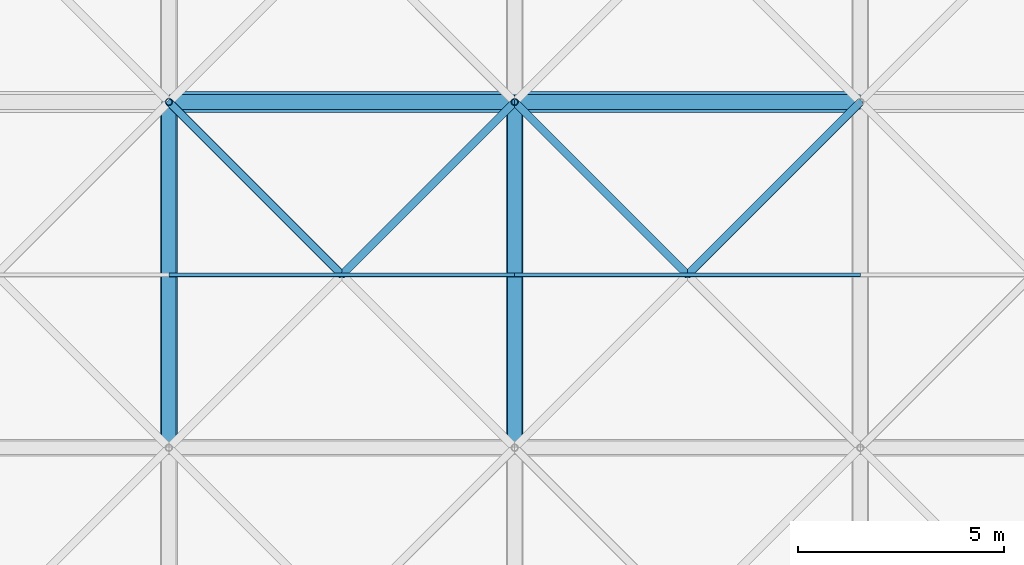
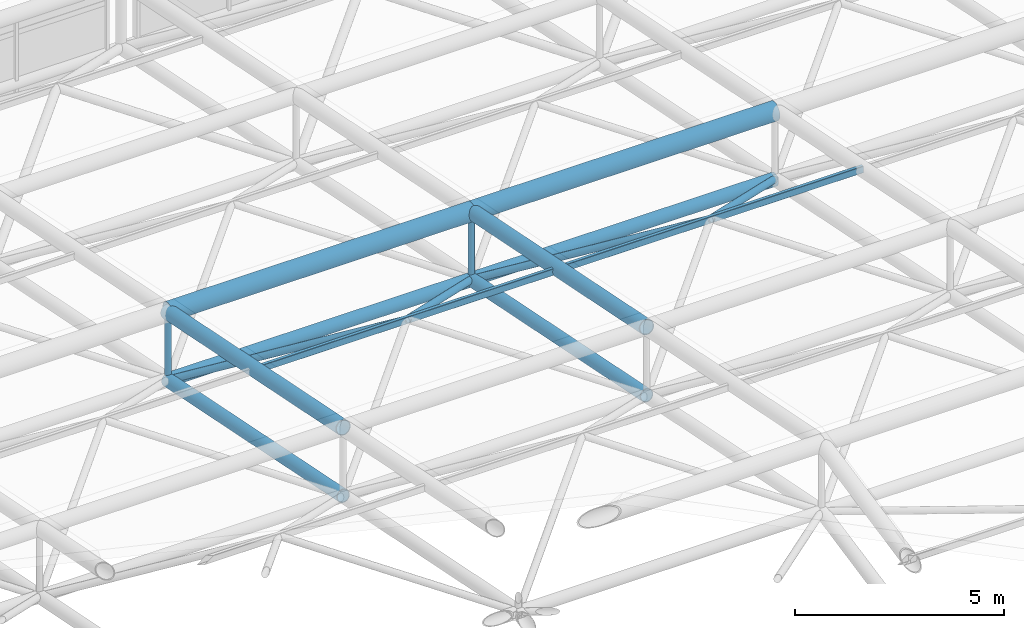
# One storey, part 49 of 110: 16 members.
"""IFC4 building model written with IfcOpenShell, lengths in metres."""

from ifc_helpers import new_model, si_unit, direction, frame, origin, origin_2d, place, context, subcontext, project, spatial, hollow_rectangle, hollow_circle, extrude, material, material_profile, profile_set, type_object, element, save


model = new_model("IFC4")

# Units and contexts
model_context = context("Model", 3, precision=1e-05, world=origin(), true_north=direction((0.0, 1.0)))
body_context = subcontext(model_context, "Body", "Model", "MODEL_VIEW")
ifc_project = project(units=[si_unit("LENGTHUNIT", "METRE"), si_unit("AREAUNIT", "SQUARE_METRE"), si_unit("VOLUMEUNIT", "CUBIC_METRE"), si_unit("PLANEANGLEUNIT", "RADIAN"), si_unit("MASSUNIT", "GRAM", prefix="KILO")], contexts=[model_context])

# Site, building, storey
site_placement = place(None, origin())
site = spatial("IfcSite", under=ifc_project, at=site_placement, CompositionType="ELEMENT")
building_placement = place(site_placement, origin())
building = spatial("IfcBuilding", under=site, at=building_placement, Name="Qawsi Khor Wholesale Market", CompositionType="ELEMENT")
storey_placement = place(building_placement, frame((0.0, 0.0, 11.39990234375)))
storey = spatial("IfcBuildingStorey", under=building, at=storey_placement, Name="L02", CompositionType="ELEMENT", Elevation=11.39990234375)

# Members
ifc_material = material(Name="Steel S355", Category="steel")
ifc_material_profile_1 = material_profile(ifc_material, hollow_circle(Radius=0.177734375, WallThickness=0.01611328125, at=origin_2d()), Name="CHS 355.6x16.0")
ifc_profile_set_1 = profile_set([ifc_material_profile_1], Name="Steel S355")
member_type_1 = type_object("IfcMemberType", Name="Space-Frame Bottom Chord CHS 355.6x16.0", PredefinedType="CHORD", material=ifc_profile_set_1)
member_1_placement = place(storey_placement, frame((176.39990234375, 84.0, 5.070068359375), z_axis=(0.0, 0.980129990483, -0.1983562496), x_axis=(-1.0, 0.0, 0.0)))
element("IfcMember", 1, at=member_1_placement, inside=storey, type_object=member_type_1, Name="Space frame bottom chord Y EH (21,10)", PredefinedType="CHORD", context=body_context, shape_type="SweptSolid", body=[
    extrude(hollow_circle(Radius=0.177734375, WallThickness=0.01611328125, at=origin_2d()), origin(), (0.0, 0.0, 1.0), 8.5703125),
])
member_2_placement = place(storey_placement, frame((176.39990234375, 92.39990234375, 3.3701171875), z_axis=(1.0, 0.0, 0.0), x_axis=(0.0, 1.0, 0.0)))
element("IfcMember", 2, at=member_2_placement, inside=storey, type_object=member_type_1, Name="Space frame bottom chord X EH (21,11)", PredefinedType="CHORD", context=body_context, shape_type="SweptSolid", body=[
    extrude(hollow_circle(Radius=0.177734375, WallThickness=0.01611328125, at=origin_2d()), origin(), (0.0, 0.0, 1.0), 8.400146484375),
])
member_3_placement = place(storey_placement, frame((184.800048828125, 84.0, 5.070068359375), z_axis=(0.0, 0.980129990483, -0.1983562496), x_axis=(-1.0, 0.0, 0.0)))
element("IfcMember", 3, at=member_3_placement, inside=storey, type_object=member_type_1, Name="Space frame bottom chord Y EH (22,10)", PredefinedType="CHORD", context=body_context, shape_type="SweptSolid", body=[
    extrude(hollow_circle(Radius=0.177734375, WallThickness=0.01611328125, at=origin_2d()), origin(), (0.0, 0.0, 1.0), 8.5703125),
])
member_4_placement = place(storey_placement, frame((184.800048828125, 92.39990234375, 3.3701171875), z_axis=(1.0, 0.0, 0.0), x_axis=(0.0, 1.0, 0.0)))
element("IfcMember", 4, at=member_4_placement, inside=storey, type_object=member_type_1, Name="Space frame bottom chord X EH (22,11)", PredefinedType="CHORD", context=body_context, shape_type="SweptSolid", body=[
    extrude(hollow_circle(Radius=0.177734375, WallThickness=0.01611328125, at=origin_2d()), origin(), (0.0, 0.0, 1.0), 8.39990234375),
])
ifc_material_profile_2 = material_profile(ifc_material, hollow_circle(Radius=0.25390625, WallThickness=0.02490234375, at=origin_2d()), Name="CHS 508.0x25.0")
ifc_profile_set_2 = profile_set([ifc_material_profile_2], Name="Steel S355")
member_type_2 = type_object("IfcMemberType", Name="Space-Frame Main Chord CHS 508.0x25.0", PredefinedType="CHORD", material=ifc_profile_set_2)
member_5_placement = place(storey_placement, frame((176.39990234375, 92.39990234375, 5.3701171875), z_axis=(1.0, 0.0, 0.0), x_axis=(0.0, 1.0, 0.0)))
element("IfcMember", 5, at=member_5_placement, inside=storey, type_object=member_type_2, Name="Space frame top chord X EH (21,11)", PredefinedType="CHORD", context=body_context, shape_type="SweptSolid", body=[
    extrude(hollow_circle(Radius=0.25390625, WallThickness=0.02490234375, at=origin_2d()), origin(), (0.0, 0.0, 1.0), 8.400146484375),
])
member_6_placement = place(storey_placement, frame((184.800048828125, 92.39990234375, 5.3701171875), z_axis=(1.0, 0.0, 0.0), x_axis=(0.0, 1.0, 0.0)))
element("IfcMember", 6, at=member_6_placement, inside=storey, type_object=member_type_2, Name="Space frame top chord X EH (22,11)", PredefinedType="CHORD", context=body_context, shape_type="SweptSolid", body=[
    extrude(hollow_circle(Radius=0.25390625, WallThickness=0.02490234375, at=origin_2d()), origin(), (0.0, 0.0, 1.0), 8.39990234375),
])
ifc_material_profile_3 = material_profile(ifc_material, hollow_rectangle(XDim=0.10009765625, YDim=0.199951171875, WallThickness=0.008056640625, InnerFilletRadius=0.008056640625, OuterFilletRadius=0.01611328125, at=origin_2d()), Name="RHS 200x100x8.0")
ifc_profile_set_3 = profile_set([ifc_material_profile_3], Name="Steel S355")
member_type_3 = type_object("IfcMemberType", Name="Space-Frame Purlin RHS 200x100x8.0", PredefinedType="PURLIN", material=ifc_profile_set_3)
member_7_placement = place(storey_placement, frame((176.39990234375, 88.199951171875, 6.22021484375), z_axis=(1.0, 0.0, 0.0), x_axis=(0.0, 1.0, 0.0)))
element("IfcMember", 7, at=member_7_placement, inside=storey, type_object=member_type_3, Name="Space frame purlin EH (21,10)", PredefinedType="PURLIN", context=body_context, shape_type="SweptSolid", body=[
    extrude(hollow_rectangle(XDim=0.10009765625, YDim=0.199951171875, WallThickness=0.008056640625, InnerFilletRadius=0.008056640625, OuterFilletRadius=0.01611328125, at=origin_2d()), origin(), (0.0, 0.0, 1.0), 8.400146484375),
])
member_8_placement = place(storey_placement, frame((184.800048828125, 88.199951171875, 6.22021484375), z_axis=(1.0, 0.0, 0.0), x_axis=(0.0, 1.0, 0.0)))
element("IfcMember", 8, at=member_8_placement, inside=storey, type_object=member_type_3, Name="Space frame purlin EH (22,10)", PredefinedType="PURLIN", context=body_context, shape_type="SweptSolid", body=[
    extrude(hollow_rectangle(XDim=0.10009765625, YDim=0.199951171875, WallThickness=0.008056640625, InnerFilletRadius=0.008056640625, OuterFilletRadius=0.01611328125, at=origin_2d()), origin(), (0.0, 0.0, 1.0), 8.39990234375),
])
ifc_material_profile_4 = material_profile(ifc_material, hollow_circle(Radius=0.096923828125, WallThickness=0.008056640625, at=origin_2d()), Name="CHS 193.7x8.0")
ifc_profile_set_4 = profile_set([ifc_material_profile_4], Name="Steel S355")
member_type_4 = type_object("IfcMemberType", Name="Space-Frame Secondary Diagonal CHS 193.7x8.0", PredefinedType="RAFTER", material=ifc_profile_set_4)
for number, where, z_axis, x_axis, name in (
    (9, (184.800048828125, 92.39990234375, 3.3701171875), (-0.637511741089, -0.637511741089, 0.432617105474), (0.707106781187, -0.707106781187, 0.0), "Space frame diagonal EH (21,10)-3"),
    (10, (176.39990234375, 92.39990234375, 3.3701171875), (0.637533737254, -0.637496679957, 0.432606884951), (0.70708622964, 0.707127332136, 0.0), "Space frame diagonal EH (21,10)-4"),
    (11, (193.199951171875, 92.39990234375, 3.3701171875), (-0.637511741089, -0.637511741089, 0.432617105474), (0.707106781187, -0.707106781187, 0.0), "Space frame diagonal EH (22,10)-3"),
    (12, (184.800048828125, 92.39990234375, 3.3701171875), (0.637511741089, -0.637511741089, 0.432617105474), (0.707106781187, 0.707106781187, 0.0), "Space frame diagonal EH (22,10)-4"),
):
    element("IfcMember", number, at=place(storey_placement, frame(where, z_axis=z_axis, x_axis=x_axis)), inside=storey, type_object=member_type_4, Name=name, PredefinedType="RAFTER", context=body_context, shape_type="SweptSolid", body=[
        extrude(hollow_circle(Radius=0.096923828125, WallThickness=0.008056640625, at=origin_2d()), origin(), (0.0, 0.0, 1.0), 6.588134765625),
    ])
ifc_material_profile_5 = material_profile(ifc_material, hollow_circle(Radius=0.203125, WallThickness=0.02001953125, at=origin_2d()), Name="CHS 406.4x20.0")
ifc_profile_set_5 = profile_set([ifc_material_profile_5], Name="Steel S355")
member_type_5 = type_object("IfcMemberType", Name="Space-Frame Top Chord CHS 406.4x20.0", PredefinedType="CHORD", material=ifc_profile_set_5)
for number, where, z_axis, x_axis, name in (
    (13, (176.39990234375, 84.0, 7.070068359375), (0.0, 0.980129990483, -0.1983562496), (-1.0, 0.0, 0.0), "Space frame top chord Y EH (21,10)"),
    (14, (184.800048828125, 84.0, 7.070068359375), (0.0, 0.980129990483, -0.1983562496), (-1.0, 0.0, 0.0), "Space frame top chord Y EH (22,10)"),
):
    element("IfcMember", number, at=place(storey_placement, frame(where, z_axis=z_axis, x_axis=x_axis)), inside=storey, type_object=member_type_5, Name=name, PredefinedType="CHORD", context=body_context, shape_type="SweptSolid", body=[
        extrude(hollow_circle(Radius=0.203125, WallThickness=0.02001953125, at=origin_2d()), origin(), (0.0, 0.0, 1.0), 8.5703125),
    ])
ifc_material_profile_6 = material_profile(ifc_material, hollow_circle(Radius=0.084228515625, WallThickness=0.008056640625, at=origin_2d()), Name="CHS 168.3x8.0")
ifc_profile_set_6 = profile_set([ifc_material_profile_6], Name="Steel S355")
member_type_6 = type_object("IfcMemberType", Name="Space-Frame Vertical Strut CHS 168.3x8.0", PredefinedType="STRUT", material=ifc_profile_set_6)
for number, where, z_axis, x_axis, name in (
    (15, (176.39990234375, 92.39990234375, 3.3701171875), (0.0, 0.0, 1.0), (1.0, 0.0, 0.0), "Space frame post EH (21,11)"),
    (16, (184.800048828125, 92.39990234375, 3.3701171875), (0.0, 0.0, 1.0), (1.0, 0.0, 0.0), "Space frame post EH (22,11)"),
):
    element("IfcMember", number, at=place(storey_placement, frame(where, z_axis=z_axis, x_axis=x_axis)), inside=storey, type_object=member_type_6, Name=name, PredefinedType="STRUT", context=body_context, shape_type="SweptSolid", body=[
        extrude(hollow_circle(Radius=0.084228515625, WallThickness=0.008056640625, at=origin_2d()), origin(), (0.0, 0.0, 1.0), 2.0),
    ])

save(model, "model.ifc")
